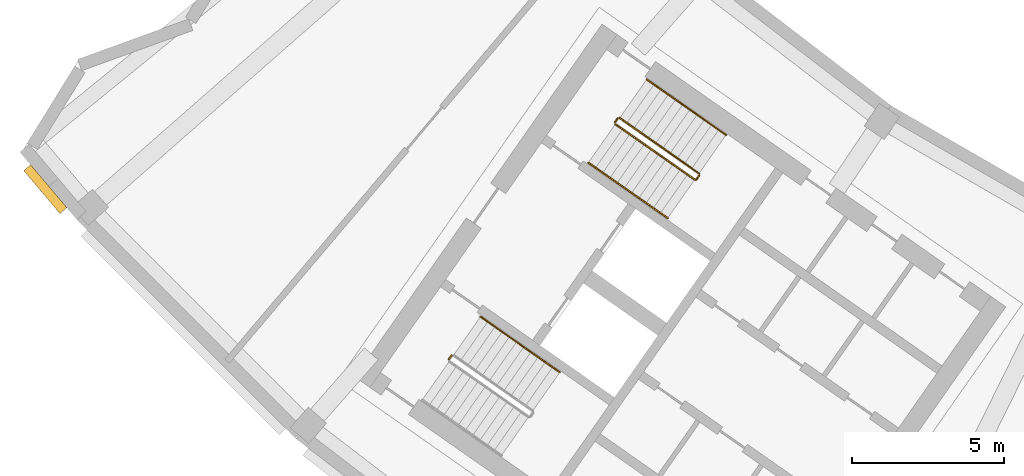
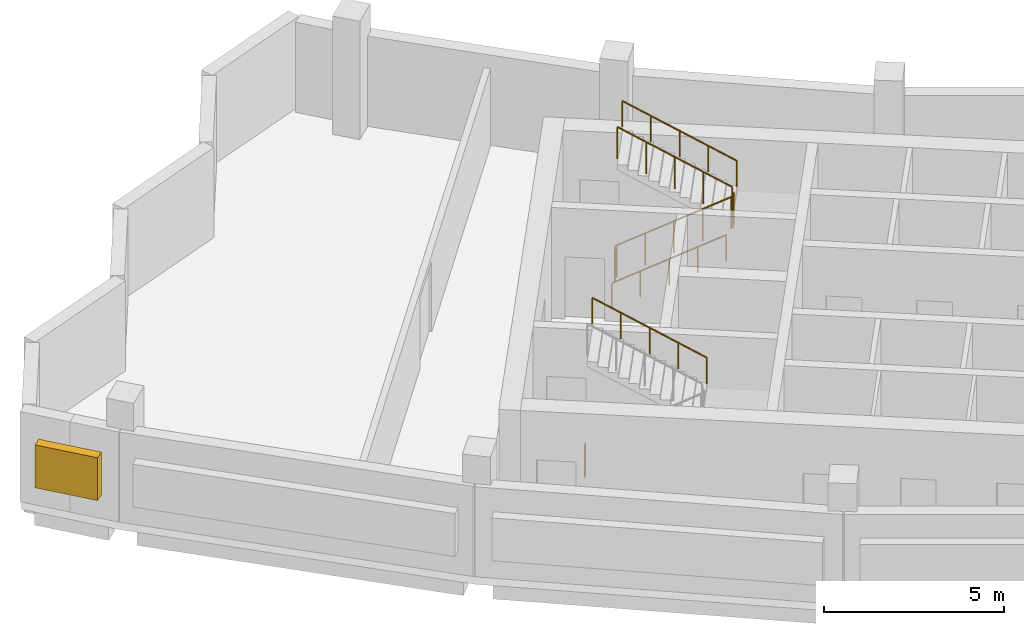
# One storey, part 9 of 11: 7 railings, 1 shading device.
"""IFC4 building model written with IfcOpenShell, lengths in metres."""

from ifc_helpers import new_model, si_unit, direction, frame, origin, origin_2d, place, context, subcontext, project, spatial, rectangle, circle, extrude, material, type_object, element, save


model = new_model("IFC4")

# Units and contexts
model_context = context("Model", 3, precision=1e-05, world=origin(), true_north=direction((0.0, 1.0)))
body_context = subcontext(model_context, "Body", "Model", "MODEL_VIEW")
ifc_project = project(units=[si_unit("LENGTHUNIT", "METRE"), si_unit("AREAUNIT", "SQUARE_METRE"), si_unit("VOLUMEUNIT", "CUBIC_METRE"), si_unit("PLANEANGLEUNIT", "RADIAN"), si_unit("MASSUNIT", "GRAM", prefix="KILO")], contexts=[model_context])

# Site, building, storey
site_placement = place(None, origin())
site = spatial("IfcSite", under=ifc_project, at=site_placement, CompositionType="ELEMENT")
building_placement = place(site_placement, origin())
building = spatial("IfcBuilding", under=site, at=building_placement, Name="Qamariyya Broadcast Tower", CompositionType="ELEMENT")
storey_placement = place(building_placement, frame((0.0, 0.0, 294.699951171875)))
storey = spatial("IfcBuildingStorey", under=building, at=storey_placement, Name="L71", CompositionType="ELEMENT", Elevation=294.699951171875)

# Railings
ifc_material_1 = material(Name="Painted steel", Category="steel")
railing_type_1 = type_object("IfcRailingType", Name="Stair guard", PredefinedType="GUARDRAIL", material=ifc_material_1)
railing_1_placement = place(storey_placement, frame((-41.146728515625, -48.52490234375, 0.166748046875)))
element("IfcRailing", 1, at=railing_1_placement, inside=storey, type_object=railing_type_1, Name="L71 ST-W2 stair guard 1", PredefinedType="GUARDRAIL", context=body_context, shape_type="SweptSolid", body=[
    extrude(circle(Radius=0.02392578125, at=origin_2d()), frame((0.0, 0.0, 1.076171875), z_axis=(0.710227693972, -0.497285465629, 0.498280832854), x_axis=(0.573559936391, 0.819163597438, 0.0)), (0.0, 0.0, 1.0), 3.67919921875),
    extrude(circle(Radius=0.02392578125, at=origin_2d()), frame((2.613037109375, -1.82958984375, 2.9091796875), z_axis=(0.985059694769, 0.172213233351, 0.0), x_axis=(-0.172213233351, 0.985059694769, 0.0)), (0.0, 0.0, 1.0), 0.07080078125),
    extrude(circle(Radius=0.02392578125, at=origin_2d()), frame((2.682861328125, -1.8173828125, 2.9091796875), z_axis=(0.573353020881, 0.819308436089, 0.0), x_axis=(-0.819308436089, 0.573353020881, 0.0)), (0.0, 0.0, 1.0), 0.14990234375),
    extrude(circle(Radius=0.02099609375, at=origin_2d()), origin(), (0.0, 0.0, 1.0), 1.052001953125),
    extrude(circle(Radius=0.02099609375, at=origin_2d()), frame((0.6533203125, -0.45751953125, 0.458251953125)), (0.0, 0.0, 1.0), 1.052001953125),
    extrude(circle(Radius=0.02099609375, at=origin_2d()), frame((1.306640625, -0.914794921875, 0.91650390625)), (0.0, 0.0, 1.0), 1.052001953125),
    extrude(circle(Radius=0.02099609375, at=origin_2d()), frame((1.959716796875, -1.3720703125, 1.375)), (0.0, 0.0, 1.0), 1.052001953125),
    extrude(circle(Radius=0.02099609375, at=origin_2d()), frame((2.613037109375, -1.82958984375, 1.833251953125)), (0.0, 0.0, 1.0), 1.052001953125),
    extrude(circle(Radius=0.02099609375, at=origin_2d()), frame((2.682861328125, -1.8173828125, 1.833251953125)), (0.0, 0.0, 1.0), 1.052001953125),
    extrude(circle(Radius=0.02099609375, at=origin_2d()), frame((2.768798828125, -1.694580078125, 1.833251953125)), (0.0, 0.0, 1.0), 1.052001953125),
])
railing_2_placement = place(storey_placement, frame((-38.39013671875, -50.14990234375, 2.166748046875)))
element("IfcRailing", 2, at=railing_2_placement, inside=storey, type_object=railing_type_1, Name="L71 ST-W2 stair guard 2", PredefinedType="GUARDRAIL", context=body_context, shape_type="SweptSolid", body=[
    extrude(circle(Radius=0.02392578125, at=origin_2d()), frame((0.0, 0.0, 1.076171875), z_axis=(-0.710204256923, 0.497335411159, 0.498264389913), x_axis=(-0.573611290809, -0.819127637829, 0.0)), (0.0, 0.0, 1.0), 3.67919921875),
    extrude(circle(Radius=0.02099609375, at=origin_2d()), origin(), (0.0, 0.0, 1.0), 1.052001953125),
    extrude(circle(Radius=0.02099609375, at=origin_2d()), frame((-0.6533203125, 0.45751953125, 0.458251953125)), (0.0, 0.0, 1.0), 1.052001953125),
    extrude(circle(Radius=0.02099609375, at=origin_2d()), frame((-1.306640625, 0.9150390625, 0.91650390625)), (0.0, 0.0, 1.0), 1.052001953125),
    extrude(circle(Radius=0.02099609375, at=origin_2d()), frame((-1.959716796875, 1.372314453125, 1.375)), (0.0, 0.0, 1.0), 1.052001953125),
    extrude(circle(Radius=0.02099609375, at=origin_2d()), frame((-2.613037109375, 1.829833984375, 1.833251953125)), (0.0, 0.0, 1.0), 1.052001953125),
])
railing_3_placement = place(storey_placement, frame((-41.158935546875, -48.455322265625, 0.0)))
element("IfcRailing", 3, at=railing_3_placement, inside=storey, type_object=railing_type_1, Name="L71 ST-W2 stair guard 3", PredefinedType="GUARDRAIL", context=body_context, shape_type="SweptSolid", body=[
    extrude(circle(Radius=0.02392578125, at=origin_2d()), frame((0.0, 0.0, 1.076171875), z_axis=(0.572588637393, 0.819842821722, 0.0), x_axis=(-0.819842821722, 0.572588637393, 0.0)), (0.0, 0.0, 1.0), 0.150146484375),
    extrude(circle(Radius=0.02099609375, at=origin_2d()), origin(), (0.0, 0.0, 1.0), 1.052001953125),
    extrude(circle(Radius=0.02099609375, at=origin_2d()), frame((0.0859375, 0.123046875, 0.0)), (0.0, 0.0, 1.0), 1.052001953125),
])
railing_4_placement = place(storey_placement, frame((-46.63671875, -56.278076171875, 0.0)))
element("IfcRailing", 4, at=railing_4_placement, inside=storey, type_object=railing_type_1, Name="L71 ST-W1 stair guard 3", PredefinedType="GUARDRAIL", context=body_context, shape_type="SweptSolid", body=[
    extrude(circle(Radius=0.02392578125, at=origin_2d()), frame((0.0, 0.0, 1.076171875), z_axis=(0.574444878118, 0.818543268254, 0.0), x_axis=(-0.818543268254, 0.574444878118, 0.0)), (0.0, 0.0, 1.0), 0.150146484375),
    extrude(circle(Radius=0.02099609375, at=origin_2d()), origin(), (0.0, 0.0, 1.0), 1.052001953125),
    extrude(circle(Radius=0.02099609375, at=origin_2d()), frame((0.086181640625, 0.122802734375, 0.0)), (0.0, 0.0, 1.0), 1.052001953125),
])
ifc_material_2 = material(Name="Stainless steel", Category="steel")
railing_type_2 = type_object("IfcRailingType", Name="Stair handrail", PredefinedType="HANDRAIL", material=ifc_material_2)
railing_5_placement = place(storey_placement, frame((-42.03564453125, -49.79443359375, 0.166748046875)))
element("IfcRailing", 5, at=railing_5_placement, inside=storey, type_object=railing_type_2, Name="L71 ST-W2 stair handrail 1", PredefinedType="HANDRAIL", context=body_context, shape_type="SweptSolid", body=[
    extrude(circle(Radius=0.02392578125, at=origin_2d()), frame((0.0, 0.0, 0.8759765625), z_axis=(0.710204256923, -0.497335411159, 0.498264389913), x_axis=(0.573611290809, 0.819127637829, 0.0)), (0.0, 0.0, 1.0), 3.67919921875),
    extrude(circle(Radius=0.02099609375, at=origin_2d()), origin(), (0.0, 0.0, 1.0), 0.851806640625),
    extrude(circle(Radius=0.02099609375, at=origin_2d()), frame((0.6533203125, -0.45751953125, 0.458251953125)), (0.0, 0.0, 1.0), 0.851806640625),
    extrude(circle(Radius=0.02099609375, at=origin_2d()), frame((1.306640625, -0.9150390625, 0.91650390625)), (0.0, 0.0, 1.0), 0.851806640625),
    extrude(circle(Radius=0.02099609375, at=origin_2d()), frame((1.959716796875, -1.372314453125, 1.375)), (0.0, 0.0, 1.0), 0.851806640625),
    extrude(circle(Radius=0.02099609375, at=origin_2d()), frame((2.613037109375, -1.829833984375, 1.833251953125)), (0.0, 0.0, 1.0), 0.851806640625),
])
railing_6_placement = place(storey_placement, frame((-37.501220703125, -48.880126953125, 2.166748046875)))
element("IfcRailing", 6, at=railing_6_placement, inside=storey, type_object=railing_type_2, Name="L71 ST-W2 stair handrail 2", PredefinedType="HANDRAIL", context=body_context, shape_type="SweptSolid", body=[
    extrude(circle(Radius=0.02392578125, at=origin_2d()), frame((0.0, 0.0, 0.8759765625), z_axis=(-0.710204256923, 0.497335411159, 0.498264389913), x_axis=(-0.573611290809, -0.819127637829, 0.0)), (0.0, 0.0, 1.0), 3.67919921875),
    extrude(circle(Radius=0.02099609375, at=origin_2d()), origin(), (0.0, 0.0, 1.0), 0.851806640625),
    extrude(circle(Radius=0.02099609375, at=origin_2d()), frame((-0.6533203125, 0.45751953125, 0.458251953125)), (0.0, 0.0, 1.0), 0.851806640625),
    extrude(circle(Radius=0.02099609375, at=origin_2d()), frame((-1.306640625, 0.9150390625, 0.91650390625)), (0.0, 0.0, 1.0), 0.851806640625),
    extrude(circle(Radius=0.02099609375, at=origin_2d()), frame((-1.959716796875, 1.372314453125, 1.375)), (0.0, 0.0, 1.0), 0.851806640625),
    extrude(circle(Radius=0.02099609375, at=origin_2d()), frame((-2.613037109375, 1.829833984375, 1.833251953125)), (0.0, 0.0, 1.0), 0.851806640625),
])
railing_7_placement = place(storey_placement, frame((-42.978759765625, -56.702880859375, 2.166748046875)))
element("IfcRailing", 7, at=railing_7_placement, inside=storey, type_object=railing_type_2, Name="L71 ST-W1 stair handrail 2", PredefinedType="HANDRAIL", context=body_context, shape_type="SweptSolid", body=[
    extrude(circle(Radius=0.02392578125, at=origin_2d()), frame((0.0, 0.0, 0.8759765625), z_axis=(-0.710227693972, 0.497285465629, 0.498280832854), x_axis=(-0.573559936391, -0.819163597438, 0.0)), (0.0, 0.0, 1.0), 3.67919921875),
    extrude(circle(Radius=0.02099609375, at=origin_2d()), origin(), (0.0, 0.0, 1.0), 0.851806640625),
    extrude(circle(Radius=0.02099609375, at=origin_2d()), frame((-0.6533203125, 0.45751953125, 0.458251953125)), (0.0, 0.0, 1.0), 0.851806640625),
    extrude(circle(Radius=0.02099609375, at=origin_2d()), frame((-1.306640625, 0.914794921875, 0.91650390625)), (0.0, 0.0, 1.0), 0.851806640625),
    extrude(circle(Radius=0.02099609375, at=origin_2d()), frame((-1.959716796875, 1.3720703125, 1.375)), (0.0, 0.0, 1.0), 0.851806640625),
    extrude(circle(Radius=0.02099609375, at=origin_2d()), frame((-2.613037109375, 1.82958984375, 1.833251953125)), (0.0, 0.0, 1.0), 0.851806640625),
])

# Shading device
ifc_material_3 = material(Name="Glazed terracotta", Category="masonry")
shading_device_type = type_object("IfcShadingDeviceType", Name="Terracotta louvre bank", PredefinedType="USERDEFINED", material=ifc_material_3)
shading_device_placement = place(storey_placement, frame((-59.94140625, -50.66796875, 0.80029296875), z_axis=(0.0, 0.0, 1.0), x_axis=(0.645559567332, -0.763709922042, 0.0)))
element("IfcShadingDevice", 8, at=shading_device_placement, inside=storey, type_object=shading_device_type, Name="e-lv-L71-00", ObjectType="LOUVRE", PredefinedType="USERDEFINED", context=body_context, shape_type="SweptSolid", body=[
    extrude(rectangle(XDim=1.8505859375, YDim=0.300048828125, at=origin_2d()), origin(), (0.0, 0.0, 1.0), 1.449951171875),
])

save(model, "model.ifc")
